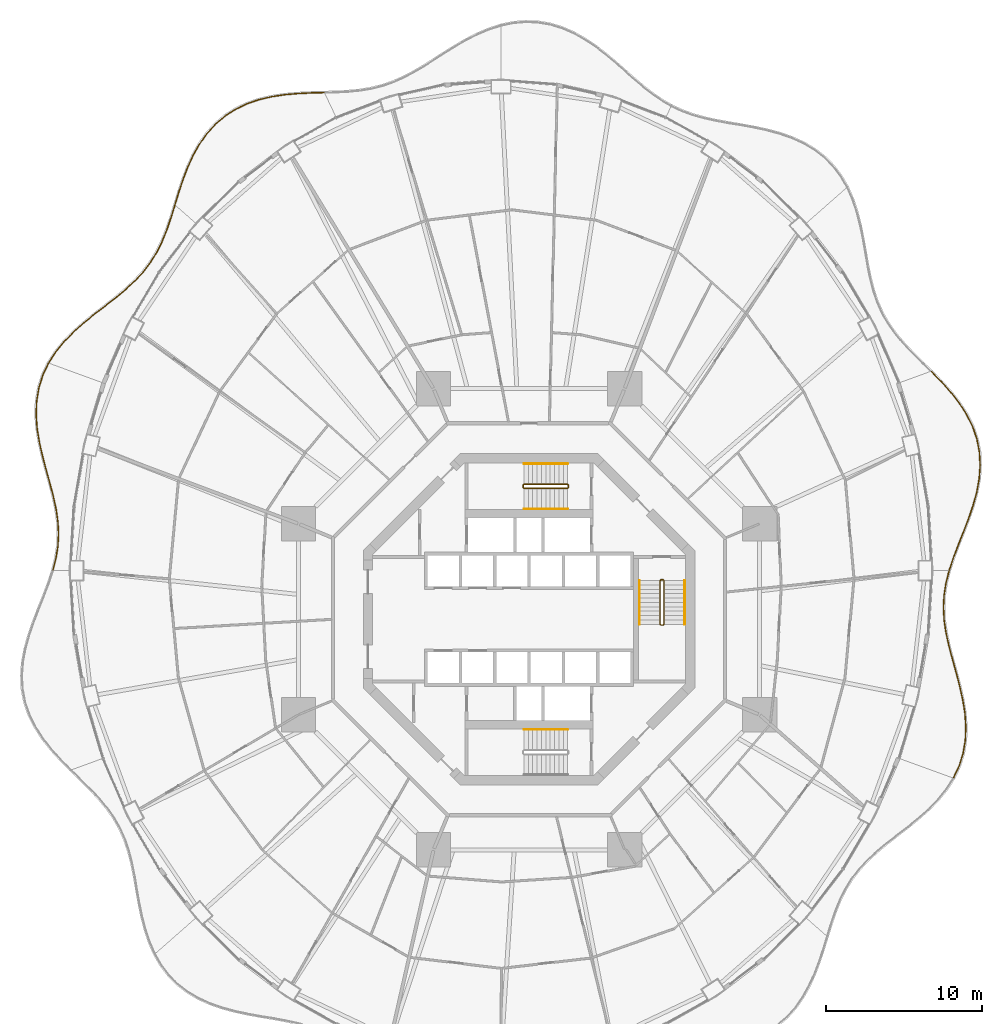
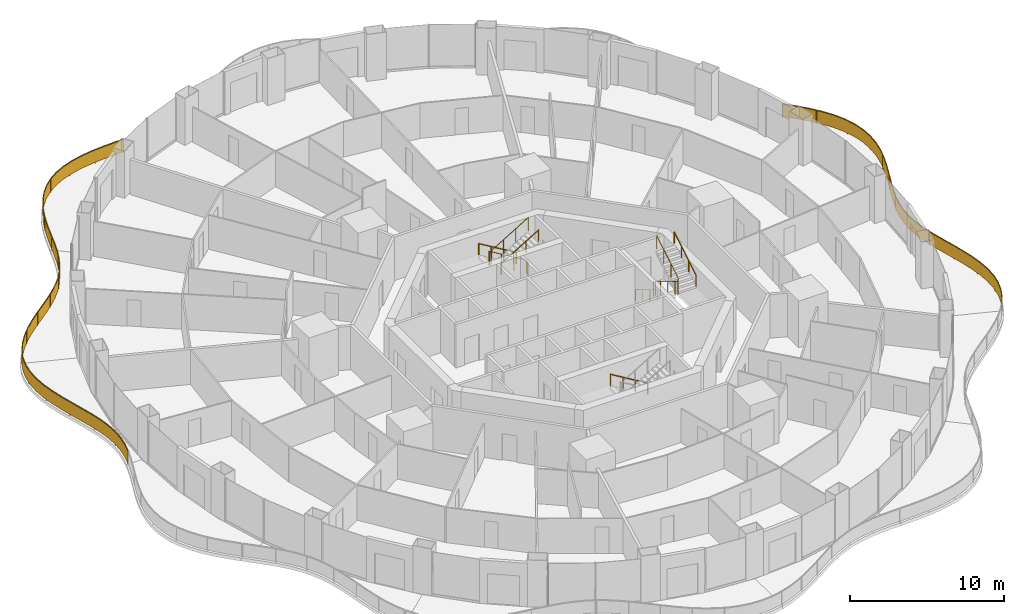
# One storey, part 21 of 22: 12 railings.
"""IFC4 building model written with IfcOpenShell, lengths in metres."""

import ifcopenshell
import ifcopenshell.guid

model = None  # the IFC model being written
_history = None  # IfcOwnerHistory: only IFC2X3 demands one
_inside = {}  # id of a spatial element -> (the spatial element, [elements in it])
_under = {}  # id of a project, library or spatial element -> (it, [spatial elements below it])
_declared = {}  # id of a project -> (the project, [libraries it declares])
_typed = {}  # id of a type object -> (the type object, [elements of that type])
_made_of = {}  # id of a material, layer set ... -> (it, [elements and type objects made of it])


def new_model(schema):
    """Start an empty IFC model of exactly this schema.

    Asked for "IFC4X3", IfcOpenShell would pick the latest addendum, in which some entities
    have other attributes; the version numbers below select the first issue.
    IFC2X3 requires an IfcOwnerHistory on every rooted entity: one is made here for all.
    """
    global model, _history
    if schema == "IFC4X3":
        model = ifcopenshell.file(schema_version=(4, 3, 0, 0))
    else:
        model = ifcopenshell.file(schema=schema)
    _inside.clear()
    _under.clear()
    _declared.clear()
    _typed.clear()
    _made_of.clear()
    _history = None
    if model.schema == "IFC2X3":
        org = make("IfcOrganization", Name="unknown")
        user = make(
            "IfcPersonAndOrganization",
            ThePerson=make("IfcPerson", FamilyName="unknown"),
            TheOrganization=org,
        )
        app = make(
            "IfcApplication",
            ApplicationDeveloper=org,
            Version="unknown",
            ApplicationFullName="unknown",
            ApplicationIdentifier="unknown",
        )
        _history = make(
            "IfcOwnerHistory",
            OwningUser=user,
            OwningApplication=app,
            ChangeAction="ADDED",
            CreationDate=0,
        )
    return model


def make(cls, **values):
    """One entity of the class cls with the attributes given. An attribute that is None is left unset."""
    return model.create_entity(
        cls, **{name: value for name, value in values.items() if value is not None}
    )


def rooted(cls, **values):
    """An entity with a GlobalId (a new one), such as an element, a storey or a relation."""
    return make(cls, GlobalId=ifcopenshell.guid.new(), OwnerHistory=_history, **values)


def si_unit(unit_type, name, prefix=None):
    """IfcSIUnit, for example si_unit("LENGTHUNIT", "METRE", prefix="MILLI")."""
    return make("IfcSIUnit", UnitType=unit_type, Prefix=prefix, Name=name)


def assignment(units):
    """IfcUnitAssignment: the units of a project."""
    return None if units is None else make("IfcUnitAssignment", Units=units)


def point(xyz):
    """IfcCartesianPoint."""
    return None if xyz is None else make("IfcCartesianPoint", Coordinates=xyz)


def direction(xyz):
    """IfcDirection."""
    return None if xyz is None else make("IfcDirection", DirectionRatios=xyz)


def frame(location, z_axis=None, x_axis=None):
    """IfcAxis2Placement3D, a coordinate frame: its origin and axes. An axis left out is left unset."""
    return make(
        "IfcAxis2Placement3D",
        Location=point(location),
        Axis=direction(z_axis),
        RefDirection=direction(x_axis),
    )


def frame_2d(location, x_axis=None):
    """IfcAxis2Placement2D, a coordinate frame in the plane: its origin and x axis."""
    return make(
        "IfcAxis2Placement2D", Location=point(location), RefDirection=direction(x_axis)
    )


def origin():
    """The frame at (0, 0, 0) with its axes left unset."""
    return frame((0.0, 0.0, 0.0))


def origin_2d():
    """The frame at (0, 0) in the plane with its x axis left unset."""
    return frame_2d((0.0, 0.0))


def place(relative_to, where):
    """IfcLocalPlacement: puts the frame where relative to a parent placement (None: the world)."""
    return make(
        "IfcLocalPlacement", PlacementRelTo=relative_to, RelativePlacement=where
    )


def context(
    kind, dimensions, precision=None, world=None, true_north=None, identifier=None
):
    """IfcGeometricRepresentationContext, for example the 3D "Model" context."""
    return make(
        "IfcGeometricRepresentationContext",
        ContextIdentifier=identifier,
        ContextType=kind,
        CoordinateSpaceDimension=dimensions,
        Precision=precision,
        WorldCoordinateSystem=world,
        TrueNorth=true_north,
    )


def subcontext(parent, identifier, kind, view, scale=None):
    """IfcGeometricRepresentationSubContext, for example "Body" below "Model"."""
    return make(
        "IfcGeometricRepresentationSubContext",
        ContextIdentifier=identifier,
        ContextType=kind,
        ParentContext=parent,
        TargetScale=scale,
        TargetView=view,
    )


def project(units=None, contexts=None):
    """IfcProject with its units and contexts."""
    return rooted(
        "IfcProject",
        Name="project",
        RepresentationContexts=contexts,
        UnitsInContext=assignment(units),
    )


def spatial(cls, under=None, at=None, **own):
    """A site, building, storey or space (cls), placed at a placement, below another one or the project."""
    s = rooted(cls, ObjectPlacement=at, **own)
    if under is not None:
        _under.setdefault(under.id(), (under, []))[1].append(s)
    return s


def polyline(points):
    """IfcPolyline through the points."""
    return make("IfcPolyline", Points=[point(p) for p in points])


def profile(cls, at=None, kind="AREA", **sizes):
    """A parametric profile (cls). Its sizes go by their IFC names, for example OverallWidth=200.0."""
    return make(cls, ProfileType=kind, Position=at, **sizes)


def rectangle(**sizes):
    """IfcRectangleProfileDef."""
    return profile("IfcRectangleProfileDef", **sizes)


def circle(**sizes):
    """IfcCircleProfileDef."""
    return profile("IfcCircleProfileDef", **sizes)


def outline(outer, holes=None, kind="AREA"):
    """IfcArbitraryClosedProfileDef: a profile drawn as a closed curve; with holes, ...WithVoids."""
    if holes is None:
        return make("IfcArbitraryClosedProfileDef", ProfileType=kind, OuterCurve=outer)
    return make(
        "IfcArbitraryProfileDefWithVoids",
        ProfileType=kind,
        OuterCurve=outer,
        InnerCurves=holes,
    )


def extrude(swept, where, along, depth):
    """IfcExtrudedAreaSolid: the profile swept, set in the frame where, extruded along a direction by depth."""
    return make(
        "IfcExtrudedAreaSolid",
        SweptArea=swept,
        Position=where,
        ExtrudedDirection=direction(along),
        Depth=depth,
    )


def shape(context_of_items, identifier, shape_type, items):
    """IfcShapeRepresentation: the items that make up one representation, for example the "Body"."""
    return make(
        "IfcShapeRepresentation",
        ContextOfItems=context_of_items,
        RepresentationIdentifier=identifier,
        RepresentationType=shape_type,
        Items=items,
    )


def material(Name=None, Category=None):
    """IfcMaterial."""
    return make("IfcMaterial", Name=Name, Category=Category)


def made_of(thing, what):
    """Note that an element or type object is made of a material, layer set ...; save() writes the relation."""
    if what is not None:
        _made_of.setdefault(what.id(), (what, []))[1].append(thing)
    return thing


def type_object(cls, material=None, **own):
    """A type object (cls), such as IfcWallType, which elements share."""
    return made_of(rooted(cls, **own), material)


def element(
    cls,
    number,
    at=None,
    inside=None,
    cuts=None,
    type_object=None,
    material=None,
    context=None,
    identifier="Body",
    shape_type=None,
    held_by="IfcProductDefinitionShape",
    body=None,
    shapes=None,
    **own,
):
    """One element of the class cls, such as IfcWall. Its Tag is "e" and its number.

    at: its placement. inside: the storey or other place that contains it. cuts: it is an
    opening in that element (IfcRelVoidsElement). A single representation is given by context,
    identifier, shape_type and body (its items); several are given by shapes. held_by: the class
    of the entity that holds the representations. save() writes the other relations.
    """
    e = rooted(cls, Tag="e%d" % number, ObjectPlacement=at, **own)
    if body is not None:
        shapes = [shape(context, identifier, shape_type, body)]
    if shapes is not None:
        e.Representation = make(held_by, Representations=shapes)
    if inside is not None:
        _inside.setdefault(inside.id(), (inside, []))[1].append(e)
    if cuts is not None:
        rooted(
            "IfcRelVoidsElement", RelatingBuildingElement=cuts, RelatedOpeningElement=e
        )
    if type_object is not None:
        _typed.setdefault(type_object.id(), (type_object, []))[1].append(e)
    return made_of(e, material)


def aggregate(whole, parts):
    """IfcRelAggregates: a whole, such as a stair, and the parts it consists of."""
    return rooted("IfcRelAggregates", RelatingObject=whole, RelatedObjects=parts)


def save(model, path):
    """Write the relations noted so far, then the file.

    IfcRelAggregates (storeys below a building ...), IfcRelContainedInSpatialStructure (elements
    in a storey), IfcRelDefinesByType, IfcRelAssociatesMaterial and IfcRelDeclares: one each for
    every whole, place, type object, material and project.
    """
    for whole, parts in _under.values():
        aggregate(whole, parts)
    for where, things in _inside.values():
        rooted(
            "IfcRelContainedInSpatialStructure",
            RelatedElements=things,
            RelatingStructure=where,
        )
    for kind, things in _typed.values():
        rooted("IfcRelDefinesByType", RelatedObjects=things, RelatingType=kind)
    for what, things in _made_of.values():
        rooted("IfcRelAssociatesMaterial", RelatedObjects=things, RelatingMaterial=what)
    for by, libraries in _declared.values():
        rooted("IfcRelDeclares", RelatingContext=by, RelatedDefinitions=libraries)
    model.write(path)


model = new_model("IFC4")

# Units and contexts
model_context = context("Model", 3, precision=1e-05, world=origin(), true_north=direction((0.0, 1.0)))
body_context = subcontext(model_context, "Body", "Model", "MODEL_VIEW")
ifc_project = project(units=[si_unit("LENGTHUNIT", "METRE"), si_unit("AREAUNIT", "SQUARE_METRE"), si_unit("VOLUMEUNIT", "CUBIC_METRE"), si_unit("PLANEANGLEUNIT", "RADIAN"), si_unit("MASSUNIT", "GRAM", prefix="KILO")], contexts=[model_context])

# Site, building, storey
site_placement = place(None, origin())
site = spatial("IfcSite", under=ifc_project, at=site_placement, CompositionType="ELEMENT")
building_placement = place(site_placement, origin())
building = spatial("IfcBuilding", under=site, at=building_placement, Name="Nagisa Residences", CompositionType="ELEMENT")
storey_placement = place(building_placement, frame((0.0, 0.0, 99.199951171875)))
storey = spatial("IfcBuildingStorey", under=building, at=storey_placement, Name="L24", CompositionType="ELEMENT", Elevation=99.199951171875)

# Railings
ifc_material_1 = material(Name="Stainless steel 316", Category="steel")
railing_type_1 = type_object("IfcRailingType", Name="BALCONY GUARD 1100", PredefinedType="BALUSTRADE", material=ifc_material_1)
railing_1_placement = place(storey_placement, frame((26.939697265625, 3.15185546875, 0.0)))
element("IfcRailing", 1, at=railing_1_placement, inside=storey, type_object=railing_type_1, Name="guard:L24:bal00-0", PredefinedType="BALUSTRADE", context=body_context, shape_type="SweptSolid", body=[
    extrude(outline(polyline([(0.22705078125, 0.766845703125), (-0.023681640625, 0.0078125), (0.023681640625, -0.0078125), (0.2744140625, 0.750244140625), (0.58203125, 1.56298828125), (0.9111328125, 2.392578125), (1.23681640625, 3.239013671875), (1.532470703125, 4.099853515625), (1.77392578125, 4.95751953125), (1.935302734375, 5.8330078125), (1.999267578125, 6.705078125), (1.953125, 7.565673828125), (1.790283203125, 8.406494140625), (1.51513671875, 9.206787109375), (1.127685546875, 9.988037109375), (0.64599609375, 10.734130859375), (0.087890625, 11.44384765625), (-0.523193359375, 12.12060546875), (-1.132568359375, 12.73583984375), (-1.168212890625, 12.70068359375), (-0.559326171875, 12.08642578125), (0.0498046875, 11.41162109375), (0.60498046875, 10.704833984375), (1.084228515625, 9.963134765625), (1.46875, 9.187255859375), (1.741943359375, 8.393310546875), (1.9033203125, 7.559326171875), (1.948974609375, 6.70556640625), (1.885498046875, 5.83935546875), (1.72509765625, 4.96875), (1.484619140625, 4.114990234375), (1.18994140625, 3.256103515625), (0.86474609375, 2.41064453125), (0.53515625, 1.5810546875), (0.22705078125, 0.766845703125)])), frame((0.0, 0.0, 1.050048828125)), (0.0, 0.0, 1.0), 0.050048828125),
    extrude(outline(polyline([(0.244140625, 0.760986328125), (-0.006591796875, 0.002197265625), (0.006591796875, -0.002197265625), (0.25732421875, 0.756103515625), (0.565185546875, 1.569580078125), (0.89453125, 2.399169921875), (1.219970703125, 3.2451171875), (1.51513671875, 4.105224609375), (1.75634765625, 4.961669921875), (1.917236328125, 5.835205078125), (1.981201171875, 6.705322265625), (1.935302734375, 7.5634765625), (1.77294921875, 8.401611328125), (1.49853515625, 9.19970703125), (1.112060546875, 9.97900390625), (0.631103515625, 10.7236328125), (0.07421875, 11.43212890625), (-0.5361328125, 12.1083984375), (-1.1455078125, 12.72314453125), (-1.1552734375, 12.71337890625), (-0.54638671875, 12.0986328125), (0.0634765625, 11.42333984375), (0.619873046875, 10.71533203125), (1.099853515625, 9.97216796875), (1.4853515625, 9.1943359375), (1.75927734375, 8.398193359375), (1.921142578125, 7.5615234375), (1.967041015625, 6.705322265625), (1.903564453125, 5.837158203125), (1.74267578125, 4.964599609375), (1.501953125, 4.109619140625), (1.206787109375, 3.25), (0.88134765625, 2.404052734375), (0.552001953125, 1.574462890625), (0.244140625, 0.760986328125)])), frame((0.0, 0.0, 0.06005859375)), (0.0, 0.0, 1.0), 0.989990234375),
    extrude(rectangle(XDim=0.0400390625, YDim=0.0400390625, at=origin_2d()), origin(), (0.0, 0.0, 1.0), 1.050048828125),
    extrude(rectangle(XDim=0.0400390625, YDim=0.0400390625, at=origin_2d()), frame((0.804443359375, 2.19140625, 0.0)), (0.0, 0.0, 1.0), 1.050048828125),
    extrude(rectangle(XDim=0.0400390625, YDim=0.0400390625, at=origin_2d()), frame((1.588134765625, 4.389892578125, 0.0)), (0.0, 0.0, 1.0), 1.050048828125),
    extrude(rectangle(XDim=0.0400390625, YDim=0.0400390625, at=origin_2d()), frame((1.97265625, 6.685546875, 0.0)), (0.0, 0.0, 1.0), 1.050048828125),
    extrude(rectangle(XDim=0.0400390625, YDim=0.0400390625, at=origin_2d()), frame((1.569580078125, 8.97119140625, 0.0)), (0.0, 0.0, 1.0), 1.050048828125),
    extrude(rectangle(XDim=0.0400390625, YDim=0.0400390625, at=origin_2d()), frame((0.414306640625, 10.988037109375, 0.0)), (0.0, 0.0, 1.0), 1.050048828125),
    extrude(rectangle(XDim=0.0400390625, YDim=0.0400390625, at=origin_2d()), frame((-1.150390625, 12.71826171875, 0.0)), (0.0, 0.0, 1.0), 1.050048828125),
])
railing_2_placement = place(storey_placement, frame((-13.15576171875, 33.76025390625, 0.0)))
element("IfcRailing", 2, at=railing_2_placement, inside=storey, type_object=railing_type_1, Name="guard:L24:bal05-0", PredefinedType="BALUSTRADE", context=body_context, shape_type="SweptSolid", body=[
    extrude(outline(polyline([(-0.79296875, -0.0439453125), (0.00048828125, -0.02490234375), (-0.00048828125, 0.02490234375), (-0.794921875, 0.005859375), (-1.6474609375, -0.034423828125), (-2.502197265625, -0.110107421875), (-3.34765625, -0.238525390625), (-4.1689453125, -0.4326171875), (-4.943603515625, -0.69677734375), (-5.683349609375, -1.053955078125), (-6.365478515625, -1.497314453125), (-6.982177734375, -2.025390625), (-7.529296875, -2.6318359375), (-7.99462890625, -3.296142578125), (-8.4052734375, -4.02685546875), (-8.7568359375, -4.79833984375), (-9.0595703125, -5.594482421875), (-9.32666015625, -6.39990234375), (-9.557861328125, -7.1572265625), (-9.510009765625, -7.171875), (-9.27880859375, -6.4150390625), (-9.01220703125, -5.611083984375), (-8.71044921875, -4.8173828125), (-8.36083984375, -4.04931640625), (-7.9521484375, -3.322998046875), (-7.490234375, -2.6630859375), (-6.947021484375, -2.0615234375), (-6.335205078125, -1.537353515625), (-5.658935546875, -1.097412109375), (-4.924560546875, -0.7431640625), (-4.1552734375, -0.48095703125), (-3.337890625, -0.287841796875), (-2.496337890625, -0.159912109375), (-1.64404296875, -0.084228515625), (-0.79296875, -0.0439453125)])), frame((0.0, 0.0, 1.050048828125)), (0.0, 0.0, 1.0), 0.050048828125),
    extrude(outline(polyline([(-0.793701171875, -0.026123046875), (0.000244140625, -0.007080078125), (-0.000244140625, 0.007080078125), (-0.794189453125, -0.011962890625), (-1.646240234375, -0.05224609375), (-2.5, -0.128173828125), (-3.343994140625, -0.25634765625), (-4.1640625, -0.449951171875), (-4.936767578125, -0.71337890625), (-5.674560546875, -1.069580078125), (-6.3544921875, -1.51171875), (-6.969482421875, -2.038330078125), (-7.51513671875, -2.64306640625), (-7.979248046875, -3.305908203125), (-8.389404296875, -4.034912109375), (-8.739990234375, -4.80517578125), (-9.04248046875, -5.600341796875), (-9.309326171875, -6.4052734375), (-9.54052734375, -7.16259765625), (-9.52734375, -7.16650390625), (-9.296142578125, -6.40966796875), (-9.029296875, -5.605224609375), (-8.727294921875, -4.810546875), (-8.376708984375, -4.041259765625), (-7.967529296875, -3.313232421875), (-7.50439453125, -2.65185546875), (-6.959716796875, -2.048583984375), (-6.34619140625, -1.52294921875), (-5.667724609375, -1.081787109375), (-4.931396484375, -0.7265625), (-4.16015625, -0.463623046875), (-3.341552734375, -0.27001953125), (-2.49853515625, -0.141845703125), (-1.645263671875, -0.06640625), (-0.793701171875, -0.026123046875)])), frame((0.0, 0.0, 0.06005859375)), (0.0, 0.0, 1.0), 0.989990234375),
    extrude(rectangle(XDim=0.0400390625, YDim=0.0400390625, at=origin_2d()), origin(), (0.0, 0.0, 1.0), 1.050048828125),
    extrude(rectangle(XDim=0.0400390625, YDim=0.0400390625, at=origin_2d()), frame((-2.2041015625, -0.10888671875, 0.0)), (0.0, 0.0, 1.0), 1.050048828125),
    extrude(rectangle(XDim=0.0400390625, YDim=0.0400390625, at=origin_2d()), frame((-4.36669921875, -0.526611328125, 0.0)), (0.0, 0.0, 1.0), 1.050048828125),
    extrude(rectangle(XDim=0.0400390625, YDim=0.0400390625, at=origin_2d()), frame((-6.333251953125, -1.506103515625, 0.0)), (0.0, 0.0, 1.0), 1.050048828125),
    extrude(rectangle(XDim=0.0400390625, YDim=0.0400390625, at=origin_2d()), frame((-7.833740234375, -3.110107421875, 0.0)), (0.0, 0.0, 1.0), 1.050048828125),
    extrude(rectangle(XDim=0.0400390625, YDim=0.0400390625, at=origin_2d()), frame((-8.833984375, -5.07177734375, 0.0)), (0.0, 0.0, 1.0), 1.050048828125),
    extrude(rectangle(XDim=0.0400390625, YDim=0.0400390625, at=origin_2d()), frame((-9.533935546875, -7.16455078125, 0.0)), (0.0, 0.0, 1.0), 1.050048828125),
])
railing_3_placement = place(storey_placement, frame((-22.71044921875, 26.522705078125, 0.0)))
element("IfcRailing", 3, at=railing_3_placement, inside=storey, type_object=railing_type_1, Name="guard:L24:bal06-0", PredefinedType="BALUSTRADE", context=body_context, shape_type="SweptSolid", body=[
    extrude(outline(polyline([(-0.216064453125, -0.78369140625), (0.02392578125, -0.00732421875), (-0.02392578125, 0.00732421875), (-0.263427734375, -0.76806640625), (-0.532958984375, -1.552978515625), (-0.83349609375, -2.296142578125), (-1.179931640625, -2.99267578125), (-1.582763671875, -3.64306640625), (-2.039794921875, -4.23779296875), (-2.5693359375, -4.809326171875), (-3.157958984375, -5.35498046875), (-3.7958984375, -5.8857421875), (-4.46923828125, -6.4140625), (-5.15283203125, -6.939208984375), (-5.839111328125, -7.498291015625), (-6.4990234375, -8.087890625), (-7.111083984375, -8.715087890625), (-7.65478515625, -9.384521484375), (-8.08837890625, -10.056640625), (-8.04638671875, -10.083984375), (-7.6142578125, -9.413818359375), (-7.073486328125, -8.748291015625), (-6.46435546875, -8.1240234375), (-5.806396484375, -7.536376953125), (-5.12158203125, -6.978271484375), (-4.4384765625, -6.45361328125), (-3.7646484375, -5.9248046875), (-3.124755859375, -5.392578125), (-2.53369140625, -4.844970703125), (-2.001708984375, -4.27001953125), (-1.541748046875, -3.67138671875), (-1.135986328125, -3.01708984375), (-0.78759765625, -2.316650390625), (-0.486083984375, -1.570556640625), (-0.216064453125, -0.78369140625)])), frame((0.0, 0.0, 1.050048828125)), (0.0, 0.0, 1.0), 0.050048828125),
    extrude(outline(polyline([(-0.233154296875, -0.778076171875), (0.006591796875, -0.001953125), (-0.006591796875, 0.001953125), (-0.246337890625, -0.773681640625), (-0.51611328125, -1.559326171875), (-0.81689453125, -2.303466796875), (-1.1640625, -3.00146484375), (-1.568115234375, -3.6533203125), (-2.026123046875, -4.249267578125), (-2.556396484375, -4.822265625), (-3.14599609375, -5.368408203125), (-3.78466796875, -5.89990234375), (-4.458251953125, -6.42822265625), (-5.1416015625, -6.953369140625), (-5.827392578125, -7.511962890625), (-6.486572265625, -8.100830078125), (-7.097412109375, -8.72705078125), (-7.64013671875, -9.39501953125), (-8.0732421875, -10.06640625), (-8.0615234375, -10.07421875), (-7.62890625, -9.4033203125), (-7.087158203125, -8.736328125), (-6.476806640625, -8.111083984375), (-5.818115234375, -7.522705078125), (-5.1328125, -6.964111328125), (-4.449462890625, -6.439453125), (-3.77587890625, -5.91064453125), (-3.13671875, -5.379150390625), (-2.546630859375, -4.83203125), (-2.015380859375, -4.258544921875), (-1.556396484375, -3.6611328125), (-1.15185546875, -3.00830078125), (-0.80419921875, -2.309326171875), (-0.5029296875, -1.564208984375), (-0.233154296875, -0.778076171875)])), frame((0.0, 0.0, 0.06005859375)), (0.0, 0.0, 1.0), 0.989990234375),
    extrude(rectangle(XDim=0.0400390625, YDim=0.0400390625, at=origin_2d()), origin(), (0.0, 0.0, 1.0), 1.050048828125),
    extrude(rectangle(XDim=0.0400390625, YDim=0.0400390625, at=origin_2d()), frame((-0.717041015625, -2.0751953125, 0.0)), (0.0, 0.0, 1.0), 1.050048828125),
    extrude(rectangle(XDim=0.0400390625, YDim=0.0400390625, at=origin_2d()), frame((-1.805908203125, -3.974365234375, 0.0)), (0.0, 0.0, 1.0), 1.050048828125),
    extrude(rectangle(XDim=0.0400390625, YDim=0.0400390625, at=origin_2d()), frame((-3.340576171875, -5.53955078125, 0.0)), (0.0, 0.0, 1.0), 1.050048828125),
    extrude(rectangle(XDim=0.0400390625, YDim=0.0400390625, at=origin_2d()), frame((-5.0634765625, -6.902099609375, 0.0)), (0.0, 0.0, 1.0), 1.050048828125),
    extrude(rectangle(XDim=0.0400390625, YDim=0.0400390625, at=origin_2d()), frame((-6.71630859375, -8.346435546875, 0.0)), (0.0, 0.0, 1.0), 1.050048828125),
    extrude(rectangle(XDim=0.0400390625, YDim=0.0400390625, at=origin_2d()), frame((-8.0673828125, -10.0703125, 0.0)), (0.0, 0.0, 1.0), 1.050048828125),
])
railing_4_placement = place(storey_placement, frame((-30.81591796875, 16.385009765625, 0.0)))
element("IfcRailing", 4, at=railing_4_placement, inside=storey, type_object=railing_type_1, Name="guard:L24:bal07-0", PredefinedType="BALUSTRADE", context=body_context, shape_type="SweptSolid", body=[
    extrude(outline(polyline([(-0.325927734375, -0.74365234375), (0.022705078125, -0.0107421875), (-0.022705078125, 0.0107421875), (-0.372802734375, -0.72509765625), (-0.630126953125, -1.544189453125), (-0.77294921875, -2.3955078125), (-0.80712890625, -3.270751953125), (-0.743896484375, -4.159423828125), (-0.59814453125, -5.0390625), (-0.398193359375, -5.927734375), (-0.165771484375, -6.80517578125), (0.072998046875, -7.666259765625), (0.29248046875, -8.508056640625), (0.471435546875, -9.31640625), (0.58740234375, -10.121337890625), (0.62841796875, -10.9130859375), (0.587646484375, -11.69677734375), (0.464111328125, -12.4794921875), (0.2744140625, -13.2265625), (0.32275390625, -13.23876953125), (0.513427734375, -12.48974609375), (0.637451171875, -11.7021484375), (0.6787109375, -10.9130859375), (0.63720703125, -10.116455078125), (0.520751953125, -9.3076171875), (0.34130859375, -8.496337890625), (0.121337890625, -7.653076171875), (-0.117431640625, -6.7919921875), (-0.349365234375, -5.916015625), (-0.548828125, -5.029296875), (-0.694091796875, -4.153564453125), (-0.7568359375, -3.269775390625), (-0.72314453125, -2.40087890625), (-0.581298828125, -1.555908203125), (-0.325927734375, -0.74365234375)])), frame((0.0, 0.0, 1.050048828125)), (0.0, 0.0, 1.0), 0.050048828125),
    extrude(outline(polyline([(-0.3427734375, -0.737060546875), (0.00634765625, -0.0029296875), (-0.00634765625, 0.0029296875), (-0.35595703125, -0.731689453125), (-0.612548828125, -1.54833984375), (-0.755126953125, -2.3974609375), (-0.7890625, -3.270263671875), (-0.72607421875, -4.1572265625), (-0.580322265625, -5.035400390625), (-0.380615234375, -5.923583984375), (-0.1484375, -6.800537109375), (0.09033203125, -7.661376953125), (0.31005859375, -8.50390625), (0.4892578125, -9.313232421875), (0.605224609375, -10.11962890625), (0.646484375, -10.9130859375), (0.60546875, -11.69873046875), (0.48193359375, -12.483154296875), (0.291748046875, -13.23095703125), (0.305419921875, -13.234375), (0.49560546875, -12.486083984375), (0.61962890625, -11.7001953125), (0.66064453125, -10.9130859375), (0.619384765625, -10.1181640625), (0.5029296875, -9.310791015625), (0.32373046875, -8.50048828125), (0.10400390625, -7.657958984375), (-0.134765625, -6.796630859375), (-0.366943359375, -5.920166015625), (-0.566650390625, -5.032958984375), (-0.7119140625, -4.15576171875), (-0.77490234375, -3.270263671875), (-0.740966796875, -2.39892578125), (-0.598876953125, -1.5517578125), (-0.3427734375, -0.737060546875)])), frame((0.0, 0.0, 0.06005859375)), (0.0, 0.0, 1.0), 0.989990234375),
    extrude(rectangle(XDim=0.0400390625, YDim=0.0400390625, at=origin_2d()), origin(), (0.0, 0.0, 1.0), 1.050048828125),
    extrude(rectangle(XDim=0.0400390625, YDim=0.0400390625, at=origin_2d()), frame((-0.703369140625, -2.1328125, 0.0)), (0.0, 0.0, 1.0), 1.050048828125),
    extrude(rectangle(XDim=0.0400390625, YDim=0.0400390625, at=origin_2d()), frame((-0.681640625, -4.382080078125, 0.0)), (0.0, 0.0, 1.0), 1.050048828125),
    extrude(rectangle(XDim=0.0400390625, YDim=0.0400390625, at=origin_2d()), frame((-0.197509765625, -6.587158203125, 0.0)), (0.0, 0.0, 1.0), 1.050048828125),
    extrude(rectangle(XDim=0.0400390625, YDim=0.0400390625, at=origin_2d()), frame((0.37646484375, -8.771728515625, 0.0)), (0.0, 0.0, 1.0), 1.050048828125),
    extrude(rectangle(XDim=0.0400390625, YDim=0.0400390625, at=origin_2d()), frame((0.648681640625, -11.008056640625, 0.0)), (0.0, 0.0, 1.0), 1.050048828125),
    extrude(rectangle(XDim=0.0400390625, YDim=0.0400390625, at=origin_2d()), frame((0.298583984375, -13.232666015625, 0.0)), (0.0, 0.0, 1.0), 1.050048828125),
])
railing_5_placement = place(storey_placement, frame((27.2158203125, -10.149658203125, 0.0)))
element("IfcRailing", 5, at=railing_5_placement, inside=storey, type_object=railing_type_1, Name="guard:L24:bal15-0", PredefinedType="BALUSTRADE", context=body_context, shape_type="SweptSolid", body=[
    extrude(outline(polyline([(0.326171875, 0.74365234375), (-0.022705078125, 0.0107421875), (0.022705078125, -0.0107421875), (0.373046875, 0.72509765625), (0.630126953125, 1.544189453125), (0.77294921875, 2.3955078125), (0.80712890625, 3.270751953125), (0.743896484375, 4.159423828125), (0.598388671875, 5.0390625), (0.3984375, 5.927734375), (0.165771484375, 6.805419921875), (-0.072998046875, 7.666259765625), (-0.29248046875, 8.508056640625), (-0.47119140625, 9.31640625), (-0.587158203125, 10.12158203125), (-0.628173828125, 10.9130859375), (-0.58740234375, 11.69677734375), (-0.4638671875, 12.4794921875), (-0.2744140625, 13.2265625), (-0.32275390625, 13.23876953125), (-0.51318359375, 12.48974609375), (-0.63720703125, 11.7021484375), (-0.678466796875, 10.9130859375), (-0.636962890625, 10.11669921875), (-0.5205078125, 9.3076171875), (-0.34130859375, 8.496337890625), (-0.121337890625, 7.653076171875), (0.117431640625, 6.792236328125), (0.349609375, 5.916015625), (0.549072265625, 5.029296875), (0.694091796875, 4.153564453125), (0.7568359375, 3.269775390625), (0.72314453125, 2.40087890625), (0.581298828125, 1.555908203125), (0.326171875, 0.74365234375)])), frame((0.0, 0.0, 1.050048828125)), (0.0, 0.0, 1.0), 0.050048828125),
    extrude(outline(polyline([(0.343017578125, 0.737060546875), (-0.00634765625, 0.0029296875), (0.00634765625, -0.0029296875), (0.356201171875, 0.731689453125), (0.612548828125, 1.54833984375), (0.755126953125, 2.3974609375), (0.7890625, 3.270263671875), (0.72607421875, 4.1572265625), (0.58056640625, 5.035400390625), (0.380859375, 5.923583984375), (0.1484375, 6.80078125), (-0.09033203125, 7.661376953125), (-0.31005859375, 8.50390625), (-0.489013671875, 9.313232421875), (-0.60498046875, 10.119873046875), (-0.646240234375, 10.9130859375), (-0.605224609375, 11.69873046875), (-0.481689453125, 12.483154296875), (-0.291748046875, 13.23095703125), (-0.305419921875, 13.234375), (-0.495361328125, 12.486083984375), (-0.619384765625, 11.7001953125), (-0.660400390625, 10.9130859375), (-0.619140625, 10.118408203125), (-0.502685546875, 9.310791015625), (-0.32373046875, 8.50048828125), (-0.10400390625, 7.657958984375), (0.134765625, 6.796875), (0.3671875, 5.920166015625), (0.56689453125, 5.032958984375), (0.7119140625, 4.15576171875), (0.77490234375, 3.270263671875), (0.740966796875, 2.39892578125), (0.598876953125, 1.5517578125), (0.343017578125, 0.737060546875)])), frame((0.0, 0.0, 0.06005859375)), (0.0, 0.0, 1.0), 0.989990234375),
    extrude(rectangle(XDim=0.0400390625, YDim=0.0400390625, at=origin_2d()), origin(), (0.0, 0.0, 1.0), 1.050048828125),
    extrude(rectangle(XDim=0.0400390625, YDim=0.0400390625, at=origin_2d()), frame((0.703369140625, 2.132568359375, 0.0)), (0.0, 0.0, 1.0), 1.050048828125),
    extrude(rectangle(XDim=0.0400390625, YDim=0.0400390625, at=origin_2d()), frame((0.681640625, 4.382080078125, 0.0)), (0.0, 0.0, 1.0), 1.050048828125),
    extrude(rectangle(XDim=0.0400390625, YDim=0.0400390625, at=origin_2d()), frame((0.19775390625, 6.5869140625, 0.0)), (0.0, 0.0, 1.0), 1.050048828125),
    extrude(rectangle(XDim=0.0400390625, YDim=0.0400390625, at=origin_2d()), frame((-0.37646484375, 8.771484375, 0.0)), (0.0, 0.0, 1.0), 1.050048828125),
    extrude(rectangle(XDim=0.0400390625, YDim=0.0400390625, at=origin_2d()), frame((-0.6484375, 11.008056640625, 0.0)), (0.0, 0.0, 1.0), 1.050048828125),
    extrude(rectangle(XDim=0.0400390625, YDim=0.0400390625, at=origin_2d()), frame((-0.298583984375, 13.232666015625, 0.0)), (0.0, 0.0, 1.0), 1.050048828125),
])
ifc_material_2 = material(Name="Stainless steel", Category="steel")
railing_type_2 = type_object("IfcRailingType", Name="Stair guard 1100", PredefinedType="GUARDRAIL", material=ifc_material_2)
railing_6_placement = place(storey_placement, frame((8.599609375, 2.52490234375, 0.0)))
element("IfcRailing", 6, at=railing_6_placement, inside=storey, type_object=railing_type_2, Name="L24 ST-E stair guard 1", PredefinedType="GUARDRAIL", context=body_context, shape_type="SweptSolid", body=[
    extrude(circle(Radius=0.02392578125, at=origin_2d()), frame((0.0, 0.0, 1.076171875), z_axis=(-1.0, 0.0, 0.0), x_axis=(0.0, -1.0, 0.0)), (0.0, 0.0, 1.0), 0.14990234375),
    extrude(circle(Radius=0.02392578125, at=origin_2d()), frame((-0.14990234375, 0.0, 1.076171875), z_axis=(-0.27434429532, -0.273006030465, 0.922064485248), x_axis=(0.705375805398, -0.708833529934, 0.0)), (0.0, 0.0, 1.0), 0.182373046875),
    extrude(circle(Radius=0.02392578125, at=origin_2d()), frame((-0.199951171875, -0.0498046875, 1.244140625), z_axis=(0.0, -0.857242210791, 0.514913383045), x_axis=(1.0, 0.0, 0.0)), (0.0, 0.0, 1.0), 3.266357421875),
    extrude(circle(Radius=0.02392578125, at=origin_2d()), frame((-0.199951171875, -2.849853515625, 2.92626953125), z_axis=(0.707106781187, -0.707106781187, 0.0), x_axis=(0.707106781187, 0.707106781187, 0.0)), (0.0, 0.0, 1.0), 0.07080078125),
    extrude(circle(Radius=0.02392578125, at=origin_2d()), frame((-0.14990234375, -2.89990234375, 2.92626953125), z_axis=(1.0, 0.0, 0.0), x_axis=(0.0, 1.0, 0.0)), (0.0, 0.0, 1.0), 0.14990234375),
    extrude(circle(Radius=0.02392578125, at=origin_2d()), frame((0.0, -2.89990234375, 2.92626953125), z_axis=(0.274243871929, 0.274243871929, 0.92172696468), x_axis=(-0.707106781187, 0.707106781187, 0.0)), (0.0, 0.0, 1.0), 0.1826171875),
    extrude(circle(Radius=0.02392578125, at=origin_2d()), frame((0.050048828125, -2.849853515625, 3.09423828125), z_axis=(0.0, 0.857275202839, 0.514858452973), x_axis=(-1.0, 0.0, 0.0)), (0.0, 0.0, 1.0), 3.26611328125),
    extrude(circle(Radius=0.02099609375, at=origin_2d()), origin(), (0.0, 0.0, 1.0), 1.052001953125),
    extrude(circle(Radius=0.02099609375, at=origin_2d()), frame((-0.14990234375, 0.0, 0.0)), (0.0, 0.0, 1.0), 1.052001953125),
    extrude(circle(Radius=0.02099609375, at=origin_2d()), frame((-0.199951171875, -0.0498046875, 0.168212890625)), (0.0, 0.0, 1.0), 1.052001953125),
    extrude(circle(Radius=0.02099609375, at=origin_2d()), frame((-0.199951171875, -0.983154296875, 0.728759765625)), (0.0, 0.0, 1.0), 1.052001953125),
    extrude(circle(Radius=0.02099609375, at=origin_2d()), frame((-0.199951171875, -1.91650390625, 1.28955078125)), (0.0, 0.0, 1.0), 1.052001953125),
    extrude(circle(Radius=0.02099609375, at=origin_2d()), frame((-0.199951171875, -2.849853515625, 1.85009765625)), (0.0, 0.0, 1.0), 1.052001953125),
    extrude(circle(Radius=0.02099609375, at=origin_2d()), frame((-0.14990234375, -2.89990234375, 1.85009765625)), (0.0, 0.0, 1.0), 1.052001953125),
    extrude(circle(Radius=0.02099609375, at=origin_2d()), frame((0.0, -2.89990234375, 1.85009765625)), (0.0, 0.0, 1.0), 1.052001953125),
    extrude(circle(Radius=0.02099609375, at=origin_2d()), frame((0.050048828125, -2.849853515625, 2.018310546875)), (0.0, 0.0, 1.0), 1.052001953125),
    extrude(circle(Radius=0.02099609375, at=origin_2d()), frame((0.050048828125, -1.91650390625, 2.578857421875)), (0.0, 0.0, 1.0), 1.052001953125),
    extrude(circle(Radius=0.02099609375, at=origin_2d()), frame((0.050048828125, -0.983154296875, 3.139404296875)), (0.0, 0.0, 1.0), 1.052001953125),
    extrude(circle(Radius=0.02099609375, at=origin_2d()), frame((0.050048828125, -0.0498046875, 3.699951171875)), (0.0, 0.0, 1.0), 1.052001953125),
])
railing_7_placement = place(storey_placement, frame((2.52490234375, 8.44970703125, 0.0)))
element("IfcRailing", 7, at=railing_7_placement, inside=storey, type_object=railing_type_2, Name="L24 ST-N stair guard 1", PredefinedType="GUARDRAIL", context=body_context, shape_type="SweptSolid", body=[
    extrude(circle(Radius=0.02392578125, at=origin_2d()), frame((0.0, 0.0, 1.076171875), z_axis=(0.0, 1.0, 0.0), x_axis=(-1.0, 0.0, 0.0)), (0.0, 0.0, 1.0), 0.14990234375),
    extrude(circle(Radius=0.02392578125, at=origin_2d()), frame((0.0, 0.14990234375, 1.076171875), z_axis=(-0.273006030465, 0.27434429532, 0.922064485248), x_axis=(-0.708833529934, -0.705375805398, 0.0)), (0.0, 0.0, 1.0), 0.182373046875),
    extrude(circle(Radius=0.02392578125, at=origin_2d()), frame((-0.0498046875, 0.199951171875, 1.244140625), z_axis=(-0.857242210791, 0.0, 0.514913383045), x_axis=(0.0, -1.0, 0.0)), (0.0, 0.0, 1.0), 3.266357421875),
    extrude(circle(Radius=0.02392578125, at=origin_2d()), frame((-2.849853515625, 0.199951171875, 2.92626953125), z_axis=(-0.707106781187, -0.707106781187, 0.0), x_axis=(0.707106781187, -0.707106781187, 0.0)), (0.0, 0.0, 1.0), 0.07080078125),
    extrude(circle(Radius=0.02392578125, at=origin_2d()), frame((-2.89990234375, 0.14990234375, 2.92626953125), z_axis=(0.0, -1.0, 0.0), x_axis=(1.0, 0.0, 0.0)), (0.0, 0.0, 1.0), 0.14990234375),
    extrude(circle(Radius=0.02392578125, at=origin_2d()), frame((-2.89990234375, 0.0, 2.92626953125), z_axis=(0.274243871929, -0.274243871929, 0.92172696468), x_axis=(0.707106781187, 0.707106781187, 0.0)), (0.0, 0.0, 1.0), 0.1826171875),
    extrude(circle(Radius=0.02392578125, at=origin_2d()), frame((-2.849853515625, -0.050048828125, 3.09423828125), z_axis=(0.857275202839, 0.0, 0.514858452973), x_axis=(0.0, 1.0, 0.0)), (0.0, 0.0, 1.0), 3.26611328125),
    extrude(circle(Radius=0.02099609375, at=origin_2d()), origin(), (0.0, 0.0, 1.0), 1.052001953125),
    extrude(circle(Radius=0.02099609375, at=origin_2d()), frame((0.0, 0.14990234375, 0.0)), (0.0, 0.0, 1.0), 1.052001953125),
    extrude(circle(Radius=0.02099609375, at=origin_2d()), frame((-0.0498046875, 0.199951171875, 0.168212890625)), (0.0, 0.0, 1.0), 1.052001953125),
    extrude(circle(Radius=0.02099609375, at=origin_2d()), frame((-0.983154296875, 0.199951171875, 0.728759765625)), (0.0, 0.0, 1.0), 1.052001953125),
    extrude(circle(Radius=0.02099609375, at=origin_2d()), frame((-1.91650390625, 0.199951171875, 1.28955078125)), (0.0, 0.0, 1.0), 1.052001953125),
    extrude(circle(Radius=0.02099609375, at=origin_2d()), frame((-2.849853515625, 0.199951171875, 1.85009765625)), (0.0, 0.0, 1.0), 1.052001953125),
    extrude(circle(Radius=0.02099609375, at=origin_2d()), frame((-2.89990234375, 0.14990234375, 1.85009765625)), (0.0, 0.0, 1.0), 1.052001953125),
    extrude(circle(Radius=0.02099609375, at=origin_2d()), frame((-2.89990234375, 0.0, 1.85009765625)), (0.0, 0.0, 1.0), 1.052001953125),
    extrude(circle(Radius=0.02099609375, at=origin_2d()), frame((-2.849853515625, -0.050048828125, 2.018310546875)), (0.0, 0.0, 1.0), 1.052001953125),
    extrude(circle(Radius=0.02099609375, at=origin_2d()), frame((-1.91650390625, -0.050048828125, 2.578857421875)), (0.0, 0.0, 1.0), 1.052001953125),
    extrude(circle(Radius=0.02099609375, at=origin_2d()), frame((-0.983154296875, -0.050048828125, 3.139404296875)), (0.0, 0.0, 1.0), 1.052001953125),
    extrude(circle(Radius=0.02099609375, at=origin_2d()), frame((-0.0498046875, -0.050048828125, 3.699951171875)), (0.0, 0.0, 1.0), 1.052001953125),
])
ifc_material_3 = material(Name="Stainless steel", Category="steel")
railing_type_3 = type_object("IfcRailingType", Name="Stair handrail 900", PredefinedType="HANDRAIL", material=ifc_material_3)
railing_8_placement = place(storey_placement, frame((7.07470703125, 2.47509765625, 0.168212890625)))
element("IfcRailing", 8, at=railing_8_placement, inside=storey, type_object=railing_type_3, Name="L24 ST-E stair handrail 1", PredefinedType="HANDRAIL", context=body_context, shape_type="SweptSolid", body=[
    extrude(circle(Radius=0.02392578125, at=origin_2d()), frame((0.0, 0.0, 0.8759765625), z_axis=(0.0, -0.857242210791, 0.514913383045), x_axis=(1.0, 0.0, 0.0)), (0.0, 0.0, 1.0), 3.266357421875),
    extrude(circle(Radius=0.02099609375, at=origin_2d()), origin(), (0.0, 0.0, 1.0), 0.851806640625),
    extrude(circle(Radius=0.02099609375, at=origin_2d()), frame((0.0, -0.933349609375, 0.560546875)), (0.0, 0.0, 1.0), 0.851806640625),
    extrude(circle(Radius=0.02099609375, at=origin_2d()), frame((0.0, -1.86669921875, 1.121337890625)), (0.0, 0.0, 1.0), 0.851806640625),
    extrude(circle(Radius=0.02099609375, at=origin_2d()), frame((0.0, -2.800048828125, 1.681884765625)), (0.0, 0.0, 1.0), 0.851806640625),
])
railing_9_placement = place(storey_placement, frame((9.974609375, -0.324951171875, 2.018310546875)))
element("IfcRailing", 9, at=railing_9_placement, inside=storey, type_object=railing_type_3, Name="L24 ST-E stair handrail 2", PredefinedType="HANDRAIL", context=body_context, shape_type="SweptSolid", body=[
    extrude(circle(Radius=0.02392578125, at=origin_2d()), frame((0.0, 0.0, 0.8759765625), z_axis=(0.0, 0.857275202839, 0.514858452973), x_axis=(-1.0, 0.0, 0.0)), (0.0, 0.0, 1.0), 3.26611328125),
    extrude(circle(Radius=0.02099609375, at=origin_2d()), origin(), (0.0, 0.0, 1.0), 0.851806640625),
    extrude(circle(Radius=0.02099609375, at=origin_2d()), frame((0.0, 0.933349609375, 0.560546875)), (0.0, 0.0, 1.0), 0.851806640625),
    extrude(circle(Radius=0.02099609375, at=origin_2d()), frame((0.0, 1.86669921875, 1.12109375)), (0.0, 0.0, 1.0), 0.851806640625),
    extrude(circle(Radius=0.02099609375, at=origin_2d()), frame((0.0, 2.800048828125, 1.681640625)), (0.0, 0.0, 1.0), 0.851806640625),
])
railing_10_placement = place(storey_placement, frame((2.47509765625, 9.974609375, 0.168212890625)))
element("IfcRailing", 10, at=railing_10_placement, inside=storey, type_object=railing_type_3, Name="L24 ST-N stair handrail 1", PredefinedType="HANDRAIL", context=body_context, shape_type="SweptSolid", body=[
    extrude(circle(Radius=0.02392578125, at=origin_2d()), frame((0.0, 0.0, 0.8759765625), z_axis=(-0.857242210791, 0.0, 0.514913383045), x_axis=(0.0, -1.0, 0.0)), (0.0, 0.0, 1.0), 3.266357421875),
    extrude(circle(Radius=0.02099609375, at=origin_2d()), origin(), (0.0, 0.0, 1.0), 0.851806640625),
    extrude(circle(Radius=0.02099609375, at=origin_2d()), frame((-0.933349609375, 0.0, 0.560546875)), (0.0, 0.0, 1.0), 0.851806640625),
    extrude(circle(Radius=0.02099609375, at=origin_2d()), frame((-1.86669921875, 0.0, 1.121337890625)), (0.0, 0.0, 1.0), 0.851806640625),
    extrude(circle(Radius=0.02099609375, at=origin_2d()), frame((-2.800048828125, 0.0, 1.681884765625)), (0.0, 0.0, 1.0), 0.851806640625),
])
railing_11_placement = place(storey_placement, frame((-0.324951171875, 7.07470703125, 2.018310546875)))
element("IfcRailing", 11, at=railing_11_placement, inside=storey, type_object=railing_type_3, Name="L24 ST-N stair handrail 2", PredefinedType="HANDRAIL", context=body_context, shape_type="SweptSolid", body=[
    extrude(circle(Radius=0.02392578125, at=origin_2d()), frame((0.0, 0.0, 0.8759765625), z_axis=(0.857275202839, 0.0, 0.514858452973), x_axis=(0.0, 1.0, 0.0)), (0.0, 0.0, 1.0), 3.26611328125),
    extrude(circle(Radius=0.02099609375, at=origin_2d()), origin(), (0.0, 0.0, 1.0), 0.851806640625),
    extrude(circle(Radius=0.02099609375, at=origin_2d()), frame((0.933349609375, 0.0, 0.560546875)), (0.0, 0.0, 1.0), 0.851806640625),
    extrude(circle(Radius=0.02099609375, at=origin_2d()), frame((1.86669921875, 0.0, 1.12109375)), (0.0, 0.0, 1.0), 0.851806640625),
    extrude(circle(Radius=0.02099609375, at=origin_2d()), frame((2.800048828125, 0.0, 1.681640625)), (0.0, 0.0, 1.0), 0.851806640625),
])
railing_12_placement = place(storey_placement, frame((2.47509765625, -7.07470703125, 0.168212890625)))
element("IfcRailing", 12, at=railing_12_placement, inside=storey, type_object=railing_type_3, Name="L24 ST-S stair handrail 1", PredefinedType="HANDRAIL", context=body_context, shape_type="SweptSolid", body=[
    extrude(circle(Radius=0.02392578125, at=origin_2d()), frame((0.0, 0.0, 0.8759765625), z_axis=(-0.857242210791, 0.0, 0.514913383045), x_axis=(0.0, -1.0, 0.0)), (0.0, 0.0, 1.0), 3.266357421875),
    extrude(circle(Radius=0.02099609375, at=origin_2d()), origin(), (0.0, 0.0, 1.0), 0.851806640625),
    extrude(circle(Radius=0.02099609375, at=origin_2d()), frame((-0.933349609375, 0.0, 0.560546875)), (0.0, 0.0, 1.0), 0.851806640625),
    extrude(circle(Radius=0.02099609375, at=origin_2d()), frame((-1.86669921875, 0.0, 1.121337890625)), (0.0, 0.0, 1.0), 0.851806640625),
    extrude(circle(Radius=0.02099609375, at=origin_2d()), frame((-2.800048828125, 0.0, 1.681884765625)), (0.0, 0.0, 1.0), 0.851806640625),
])

save(model, "model.ifc")
